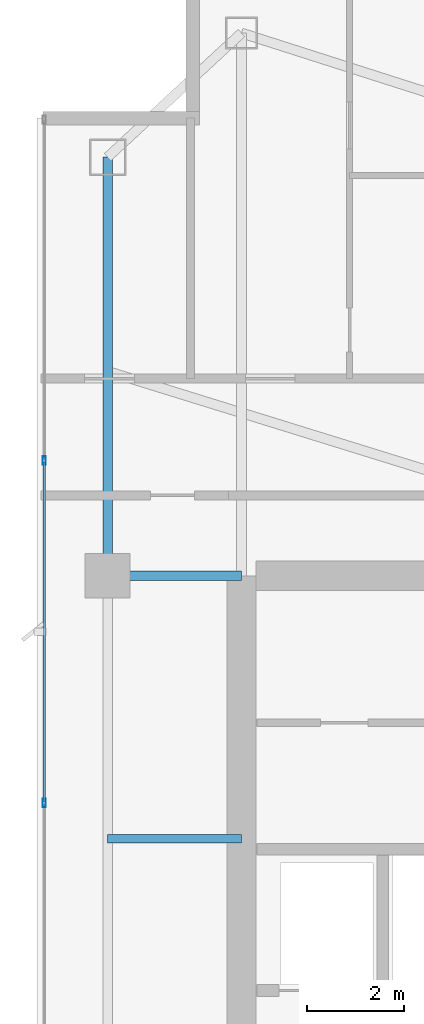
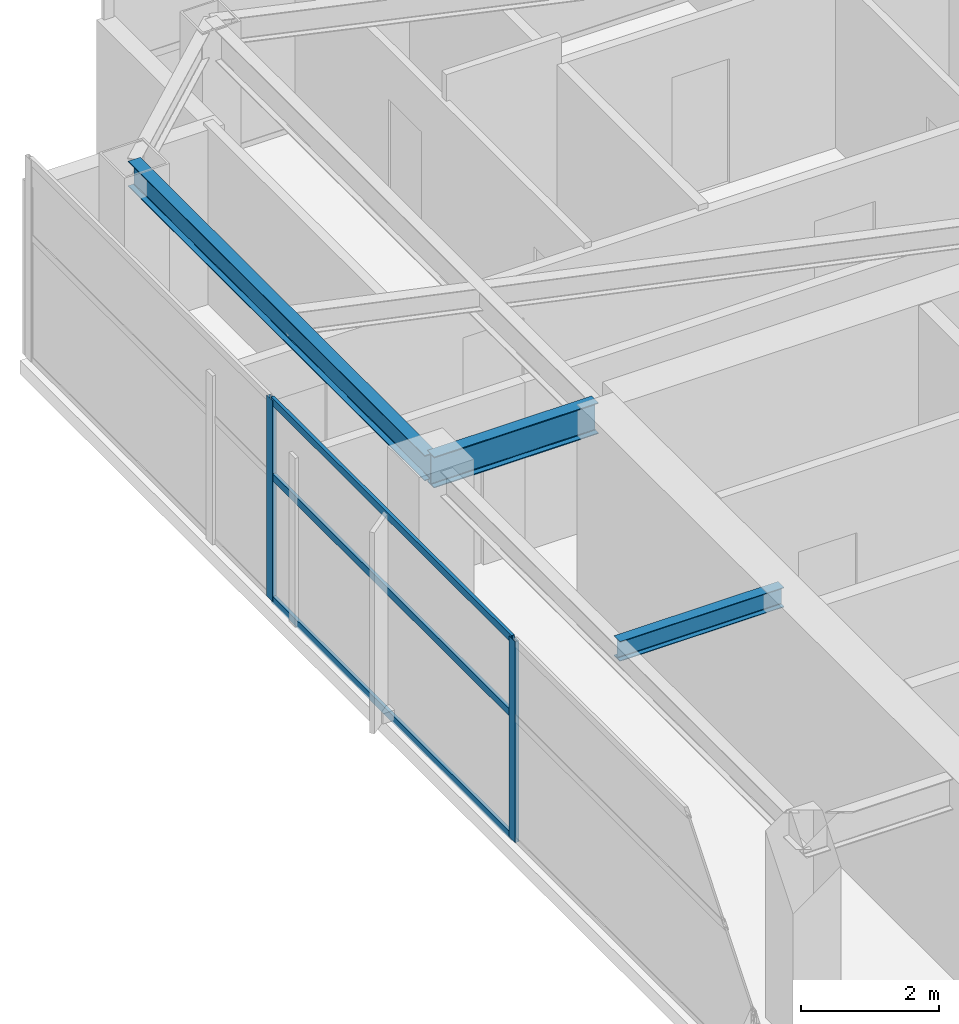
# One storey, part 16 of 27: 5 members, 3 beams, 1 element without a shape of its own.
"""IFC4 building model written with IfcOpenShell, lengths in metres."""

from ifc_helpers import new_model, si_unit, direction, frame, origin, origin_2d, place, context, subcontext, project, spatial, hollow_rectangle, i_section, extrude, material, layer, layer_set, material_profile, profile_set, type_object, element, aggregate, save


model = new_model("IFC4")

# Units and contexts
model_context = context("Model", 3, precision=1e-05, world=origin(), true_north=direction((0.0, 1.0)))
body_context = subcontext(model_context, "Body", "Model", "MODEL_VIEW")
ifc_project = project(units=[si_unit("LENGTHUNIT", "METRE"), si_unit("AREAUNIT", "SQUARE_METRE"), si_unit("VOLUMEUNIT", "CUBIC_METRE"), si_unit("PLANEANGLEUNIT", "RADIAN"), si_unit("MASSUNIT", "GRAM", prefix="KILO")], contexts=[model_context])

# Site, building, storey
site_placement = place(None, origin())
site = spatial("IfcSite", under=ifc_project, at=site_placement, CompositionType="ELEMENT")
building_placement = place(site_placement, origin())
building = spatial("IfcBuilding", under=site, at=building_placement, Name="Calvorn Quay Hotel", CompositionType="ELEMENT")
storey_placement = place(building_placement, frame((0.0, 0.0, 298.699951171875)))
storey = spatial("IfcBuildingStorey", under=building, at=storey_placement, Name="L74", CompositionType="ELEMENT", Elevation=298.699951171875)

# Beams
ifc_material_1 = material(Name="Steel Q355B", Category="steel")
ifc_material_profile_1 = material_profile(ifc_material_1, i_section(OverallWidth=0.199951171875, OverallDepth=0.550048828125, WebThickness=0.010009765625, FlangeThickness=0.01611328125, FilletRadius=0.01806640625, at=origin_2d()), Name="HN550x200x10x16")
ifc_profile_set_1 = profile_set([ifc_material_profile_1], Name="Steel Q355B")
beam_type_1 = type_object("IfcBeamType", Name="BM-GIRD-UPP", PredefinedType="BEAM", material=ifc_profile_set_1)
beam_1_placement = place(storey_placement, frame((1.449951171875, 38.39990234375, 3.26513671875), z_axis=(1.0, 0.0, 0.0), x_axis=(0.0, 1.0, 0.0)))
element("IfcBeam", 1, at=beam_1_placement, inside=storey, type_object=beam_type_1, Name="Beam BG-L74-W3", PredefinedType="BEAM", context=body_context, shape_type="SweptSolid", body=[
    extrude(i_section(OverallWidth=0.199951171875, OverallDepth=0.550048828125, WebThickness=0.010009765625, FlangeThickness=0.01611328125, FilletRadius=0.01806640625, at=origin_2d()), origin(), (0.0, 0.0, 1.0), 2.75),
])
ifc_material_2 = material(Name="Steel Q355B", Category="steel")
ifc_material_profile_2 = material_profile(ifc_material_2, i_section(OverallWidth=0.175048828125, OverallDepth=0.35009765625, WebThickness=0.007080078125, FlangeThickness=0.010986328125, FilletRadius=0.013916015625, at=origin_2d()), Name="HN350x175x7x11")
ifc_profile_set_2 = profile_set([ifc_material_profile_2], Name="Steel Q355B")
beam_type_2 = type_object("IfcBeamType", Name="BM-JOIST-SEC", PredefinedType="JOIST", material=ifc_profile_set_2)
beam_2_placement = place(storey_placement, frame((1.449951171875, 33.0, 3.364990234375), z_axis=(1.0, 0.0, 0.0), x_axis=(0.0, 1.0, 0.0)))
element("IfcBeam", 2, at=beam_2_placement, inside=storey, type_object=beam_type_2, Name="Beam BJ-L74-W4", PredefinedType="JOIST", context=body_context, shape_type="SweptSolid", body=[
    extrude(i_section(OverallWidth=0.175048828125, OverallDepth=0.35009765625, WebThickness=0.007080078125, FlangeThickness=0.010986328125, FilletRadius=0.013916015625, at=origin_2d()), origin(), (0.0, 0.0, 1.0), 2.75),
])
ifc_material_3 = material(Name="Steel Q355B", Category="steel")
ifc_material_profile_3 = material_profile(ifc_material_3, i_section(OverallWidth=0.199951171875, OverallDepth=0.449951171875, WebThickness=0.009033203125, FlangeThickness=0.013916015625, FilletRadius=0.01611328125, at=origin_2d()), Name="HN450x200x9x14")
ifc_profile_set_3 = profile_set([ifc_material_profile_3], Name="Steel Q355B")
beam_type_3 = type_object("IfcBeamType", Name="BM-SPANDREL-Z3", PredefinedType="SPANDREL", material=ifc_profile_set_3)
beam_3_placement = place(storey_placement, frame((1.449951171875, 38.39990234375, 3.31494140625), z_axis=(0.0, 1.0, 0.0), x_axis=(-1.0, 0.0, 0.0)))
element("IfcBeam", 3, at=beam_3_placement, inside=storey, type_object=beam_type_3, Name="Beam BSP-L74-W4", PredefinedType="SPANDREL", context=body_context, shape_type="SweptSolid", body=[
    extrude(i_section(OverallWidth=0.199951171875, OverallDepth=0.449951171875, WebThickness=0.009033203125, FlangeThickness=0.013916015625, FilletRadius=0.01611328125, at=origin_2d()), origin(), (0.0, 0.0, 1.0), 8.60009765625),
])

# Curtain wall, members
ifc_material_4 = material(Name="Champagne Bronze Anodised Aluminium and Low-E Glass", Category="aluminium")
ifc_layer = layer(ifc_material_4, 0.219970703125)
ifc_layer_set = layer_set([ifc_layer], Name="CW-SYS-Z4")
curtain_wall_type = type_object("IfcCurtainWallType", Name="CW-SYS-Z4", PredefinedType="NOTDEFINED", material=ifc_layer_set)
curtain_wall_placement = place(storey_placement, origin())
curtain_wall = element("IfcCurtainWall", 4, at=curtain_wall_placement, inside=storey, type_object=curtain_wall_type, Name="Tower West Curtain Wall (L74)", PredefinedType="NOTDEFINED")
ifc_material_5 = material(Name="Champagne Bronze Anodised Aluminium 6063-T6", Category="aluminium")
ifc_material_profile_4 = material_profile(ifc_material_5, hollow_rectangle(XDim=0.06494140625, YDim=0.169921875, WallThickness=0.00341796875, at=origin_2d()), Name="ALU-M170x65x3.5")
ifc_profile_set_4 = profile_set([ifc_material_profile_4], Name="Champagne Bronze Anodised Aluminium 6063-T6")
member_type_1 = type_object("IfcMemberType", Name="CW-SYS-Z4-MUL", PredefinedType="MULLION", material=ifc_profile_set_4)
member_1_placement = place(storey_placement, frame((0.14990234375, 33.7333984375, 0.0), z_axis=(0.0, 0.0, 1.0), x_axis=(-1.0, 0.0, 0.0)))
member_1 = element("IfcMember", 5, at=member_1_placement, type_object=member_type_1, Name="CW-L74-W mullion 5", PredefinedType="MULLION", context=body_context, shape_type="SweptSolid", body=[
    extrude(hollow_rectangle(XDim=0.06494140625, YDim=0.169921875, WallThickness=0.00341796875, at=origin_2d()), origin(), (0.0, 0.0, 1.0), 3.56005859375),
])
member_2_placement = place(storey_placement, frame((0.14990234375, 40.7666015625, 0.0), z_axis=(0.0, 0.0, 1.0), x_axis=(-1.0, 0.0, 0.0)))
member_2 = element("IfcMember", 6, at=member_2_placement, type_object=member_type_1, Name="CW-L74-W mullion 6", PredefinedType="MULLION", context=body_context, shape_type="SweptSolid", body=[
    extrude(hollow_rectangle(XDim=0.06494140625, YDim=0.169921875, WallThickness=0.00341796875, at=origin_2d()), origin(), (0.0, 0.0, 1.0), 3.56005859375),
])
ifc_material_6 = material(Name="Champagne Bronze Anodised Aluminium 6063-T6", Category="aluminium")
ifc_material_profile_5 = material_profile(ifc_material_6, hollow_rectangle(XDim=0.054931640625, YDim=0.1298828125, WallThickness=0.003173828125, at=origin_2d()), Name="ALU-T130x55x3.2")
ifc_profile_set_5 = profile_set([ifc_material_profile_5], Name="Champagne Bronze Anodised Aluminium 6063-T6")
member_type_2 = type_object("IfcMemberType", Name="CW-SYS-Z4-TRN", PredefinedType="USERDEFINED", material=ifc_profile_set_5)
member_3_placement = place(storey_placement, frame((0.14990234375, 33.763427734375, 0.030029296875), z_axis=(0.0, 1.0, 0.0), x_axis=(-1.0, 0.0, 0.0)))
member_3 = element("IfcMember", 7, at=member_3_placement, type_object=member_type_2, Name="CW-L74-W transom 5.1", ObjectType="TRANSOM", PredefinedType="USERDEFINED", context=body_context, shape_type="SweptSolid", body=[
    extrude(hollow_rectangle(XDim=0.054931640625, YDim=0.1298828125, WallThickness=0.003173828125, at=origin_2d()), origin(), (0.0, 0.0, 1.0), 6.97314453125),
])
member_4_placement = place(storey_placement, frame((0.14990234375, 33.763427734375, 2.199951171875), z_axis=(0.0, 1.0, 0.0), x_axis=(-1.0, 0.0, 0.0)))
member_4 = element("IfcMember", 8, at=member_4_placement, type_object=member_type_2, Name="CW-L74-W transom 5.2", ObjectType="TRANSOM", PredefinedType="USERDEFINED", context=body_context, shape_type="SweptSolid", body=[
    extrude(hollow_rectangle(XDim=0.054931640625, YDim=0.1298828125, WallThickness=0.003173828125, at=origin_2d()), origin(), (0.0, 0.0, 1.0), 6.97314453125),
])
member_5_placement = place(storey_placement, frame((0.14990234375, 33.763427734375, 3.530029296875), z_axis=(0.0, 1.0, 0.0), x_axis=(-1.0, 0.0, 0.0)))
member_5 = element("IfcMember", 9, at=member_5_placement, type_object=member_type_2, Name="CW-L74-W transom 5.3", ObjectType="TRANSOM", PredefinedType="USERDEFINED", context=body_context, shape_type="SweptSolid", body=[
    extrude(hollow_rectangle(XDim=0.054931640625, YDim=0.1298828125, WallThickness=0.003173828125, at=origin_2d()), origin(), (0.0, 0.0, 1.0), 6.97314453125),
])
aggregate(curtain_wall, [member_1, member_2, member_3, member_4, member_5])

save(model, "model.ifc")
